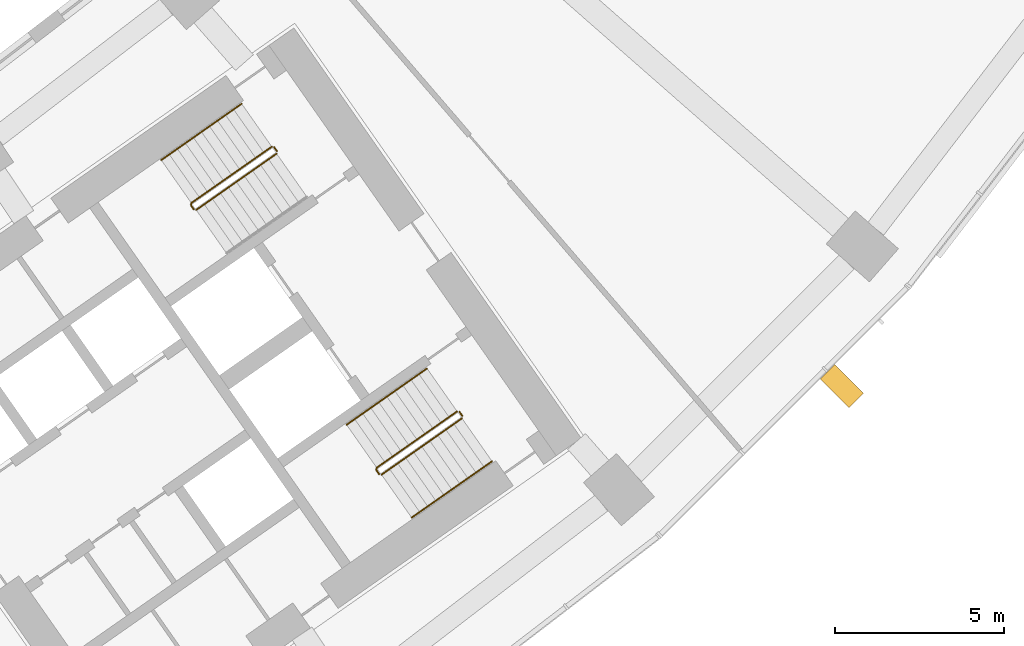
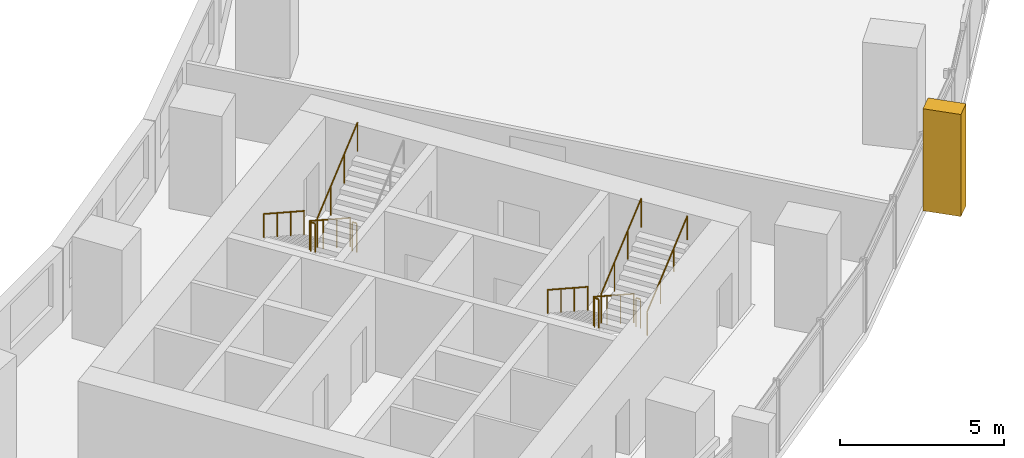
# One storey, part 30 of 30: 9 railings, 1 shading device.
"""IFC4 building model written with IfcOpenShell, lengths in metres."""

from ifc_helpers import new_model, si_unit, direction, frame, origin, origin_2d, place, context, subcontext, project, spatial, polyline, circle, outline, extrude, material, type_object, element, save


model = new_model("IFC4")

# Units and contexts
model_context = context("Model", 3, precision=1e-05, world=origin(), true_north=direction((0.0, 1.0)))
body_context = subcontext(model_context, "Body", "Model", "MODEL_VIEW")
ifc_project = project(units=[si_unit("LENGTHUNIT", "METRE"), si_unit("AREAUNIT", "SQUARE_METRE"), si_unit("VOLUMEUNIT", "CUBIC_METRE"), si_unit("PLANEANGLEUNIT", "RADIAN"), si_unit("MASSUNIT", "GRAM", prefix="KILO")], contexts=[model_context])

# Site, building, storey
site_placement = place(None, origin())
site = spatial("IfcSite", under=ifc_project, at=site_placement, CompositionType="ELEMENT")
building_placement = place(site_placement, origin())
building = spatial("IfcBuilding", under=site, at=building_placement, Name="Qamariyya Broadcast Tower", CompositionType="ELEMENT")
storey_placement = place(building_placement, frame((0.0, 0.0, 67.10009765625)))
storey = spatial("IfcBuildingStorey", under=building, at=storey_placement, Name="L13", CompositionType="ELEMENT", Elevation=67.10009765625)

# Shading device
ifc_material_1 = material(Name="Steel S355 powder coated deep red", Category="steel")
shading_device_type = type_object("IfcShadingDeviceType", Name="Deep red frame, powder coated steel box section", PredefinedType="USERDEFINED", material=ifc_material_1)
shading_device_placement = place(storey_placement, origin())
element("IfcShadingDevice", 1, at=shading_device_placement, inside=storey, type_object=shading_device_type, Name="e-frm-B1-F5-postb-L13", ObjectType="FRAME", PredefinedType="USERDEFINED", context=body_context, shape_type="SweptSolid", body=[
    extrude(outline(polyline([(57.21630859375, -55.184814453125), (58.064697265625, -56.033203125), (58.489013671875, -55.60888671875), (57.640380859375, -54.760498046875), (57.21630859375, -55.184814453125)])), origin(), (0.0, 0.0, 1.0), 3.7998046875),
])

# Railings
ifc_material_2 = material(Name="Painted steel", Category="steel")
railing_type_1 = type_object("IfcRailingType", Name="Stair guard", PredefinedType="GUARDRAIL", material=ifc_material_2)
railing_1_placement = place(storey_placement, frame((41.003173828125, -48.320068359375, 0.172607421875)))
element("IfcRailing", 2, at=railing_1_placement, inside=storey, type_object=railing_type_1, Name="L13 ST-E2 stair guard 1", PredefinedType="GUARDRAIL", context=body_context, shape_type="SweptSolid", body=[
    extrude(circle(Radius=0.02392578125, at=origin_2d()), frame((0.0, 0.0, 1.076171875), z_axis=(-0.703770094002, -0.492783725636, 0.511734163933), x_axis=(0.573575343427, -0.819152809562, 0.0)), (0.0, 0.0, 1.0), 3.37548828125),
    extrude(circle(Radius=0.02392578125, at=origin_2d()), frame((-2.37548828125, -1.663330078125, 2.80322265625), z_axis=(-0.172799478008, -0.984957024646, 0.0), x_axis=(0.984957024646, -0.172799478008, 0.0)), (0.0, 0.0, 1.0), 0.070556640625),
    extrude(circle(Radius=0.02392578125, at=origin_2d()), frame((-2.3876953125, -1.73291015625, 2.80322265625), z_axis=(0.572588637393, -0.819842821722, 0.0), x_axis=(0.819842821722, 0.572588637393, 0.0)), (0.0, 0.0, 1.0), 0.150146484375),
    extrude(circle(Radius=0.02099609375, at=origin_2d()), origin(), (0.0, 0.0, 1.0), 1.052001953125),
    extrude(circle(Radius=0.02099609375, at=origin_2d()), frame((-0.791748046875, -0.554443359375, 0.57568359375)), (0.0, 0.0, 1.0), 1.052001953125),
    extrude(circle(Radius=0.02099609375, at=origin_2d()), frame((-1.583740234375, -1.10888671875, 1.151611328125)), (0.0, 0.0, 1.0), 1.052001953125),
    extrude(circle(Radius=0.02099609375, at=origin_2d()), frame((-2.37548828125, -1.663330078125, 1.727294921875)), (0.0, 0.0, 1.0), 1.052001953125),
    extrude(circle(Radius=0.02099609375, at=origin_2d()), frame((-2.3876953125, -1.73291015625, 1.727294921875)), (0.0, 0.0, 1.0), 1.052001953125),
    extrude(circle(Radius=0.02099609375, at=origin_2d()), frame((-2.3017578125, -1.85595703125, 1.727294921875)), (0.0, 0.0, 1.0), 1.052001953125),
])
railing_2_placement = place(storey_placement, frame((38.771240234375, -50.188232421875, 2.072509765625)))
element("IfcRailing", 3, at=railing_2_placement, inside=storey, type_object=railing_type_1, Name="L13 ST-E2 stair guard 2", PredefinedType="GUARDRAIL", context=body_context, shape_type="SweptSolid", body=[
    extrude(circle(Radius=0.02392578125, at=origin_2d()), frame((0.0, 0.0, 1.076171875), z_axis=(0.703770094002, 0.492783725636, 0.511734163933), x_axis=(-0.573575343427, 0.819152809562, 0.0)), (0.0, 0.0, 1.0), 3.37548828125),
    extrude(circle(Radius=0.02099609375, at=origin_2d()), origin(), (0.0, 0.0, 1.0), 1.052001953125),
    extrude(circle(Radius=0.02099609375, at=origin_2d()), frame((0.791748046875, 0.554443359375, 0.57568359375)), (0.0, 0.0, 1.0), 1.052001953125),
    extrude(circle(Radius=0.02099609375, at=origin_2d()), frame((1.583740234375, 1.10888671875, 1.151611328125)), (0.0, 0.0, 1.0), 1.052001953125),
    extrude(circle(Radius=0.02099609375, at=origin_2d()), frame((2.37548828125, 1.663330078125, 1.727294921875)), (0.0, 0.0, 1.0), 1.052001953125),
])
railing_3_placement = place(storey_placement, frame((41.072998046875, -48.332275390625, 0.0)))
element("IfcRailing", 4, at=railing_3_placement, inside=storey, type_object=railing_type_1, Name="L13 ST-E2 stair guard 3", PredefinedType="GUARDRAIL", context=body_context, shape_type="SweptSolid", body=[
    extrude(circle(Radius=0.02392578125, at=origin_2d()), frame((0.0, 0.0, 1.076171875), z_axis=(0.572588637393, -0.819842821722, 0.0), x_axis=(0.819842821722, 0.572588637393, 0.0)), (0.0, 0.0, 1.0), 0.150146484375),
    extrude(circle(Radius=0.02099609375, at=origin_2d()), origin(), (0.0, 0.0, 1.0), 1.052001953125),
    extrude(circle(Radius=0.02099609375, at=origin_2d()), frame((0.0859375, -0.123046875, 0.0)), (0.0, 0.0, 1.0), 1.052001953125),
])
railing_4_placement = place(storey_placement, frame((46.48095703125, -56.14306640625, 0.172607421875)))
element("IfcRailing", 5, at=railing_4_placement, inside=storey, type_object=railing_type_1, Name="L13 ST-E1 stair guard 1", PredefinedType="GUARDRAIL", context=body_context, shape_type="SweptSolid", body=[
    extrude(circle(Radius=0.02392578125, at=origin_2d()), frame((0.0, 0.0, 1.076171875), z_axis=(-0.703770094002, -0.492783725636, 0.511734163933), x_axis=(0.573575343427, -0.819152809562, 0.0)), (0.0, 0.0, 1.0), 3.37548828125),
    extrude(circle(Radius=0.02392578125, at=origin_2d()), frame((-2.37548828125, -1.663330078125, 2.80322265625), z_axis=(-0.176149252506, -0.984363469884, 0.0), x_axis=(0.984363469884, -0.176149252506, 0.0)), (0.0, 0.0, 1.0), 0.07080078125),
    extrude(circle(Radius=0.02392578125, at=origin_2d()), frame((-2.387939453125, -1.73291015625, 2.80322265625), z_axis=(0.574444878118, -0.818543268254, 0.0), x_axis=(0.818543268254, 0.574444878118, 0.0)), (0.0, 0.0, 1.0), 0.150146484375),
    extrude(circle(Radius=0.02099609375, at=origin_2d()), origin(), (0.0, 0.0, 1.0), 1.052001953125),
    extrude(circle(Radius=0.02099609375, at=origin_2d()), frame((-0.791748046875, -0.554443359375, 0.57568359375)), (0.0, 0.0, 1.0), 1.052001953125),
    extrude(circle(Radius=0.02099609375, at=origin_2d()), frame((-1.583740234375, -1.10888671875, 1.151611328125)), (0.0, 0.0, 1.0), 1.052001953125),
    extrude(circle(Radius=0.02099609375, at=origin_2d()), frame((-2.37548828125, -1.663330078125, 1.727294921875)), (0.0, 0.0, 1.0), 1.052001953125),
    extrude(circle(Radius=0.02099609375, at=origin_2d()), frame((-2.387939453125, -1.73291015625, 1.727294921875)), (0.0, 0.0, 1.0), 1.052001953125),
    extrude(circle(Radius=0.02099609375, at=origin_2d()), frame((-2.3017578125, -1.855712890625, 1.727294921875)), (0.0, 0.0, 1.0), 1.052001953125),
])
railing_5_placement = place(storey_placement, frame((44.248779296875, -58.01123046875, 2.072509765625)))
element("IfcRailing", 6, at=railing_5_placement, inside=storey, type_object=railing_type_1, Name="L13 ST-E1 stair guard 2", PredefinedType="GUARDRAIL", context=body_context, shape_type="SweptSolid", body=[
    extrude(circle(Radius=0.02392578125, at=origin_2d()), frame((0.0, 0.0, 1.076171875), z_axis=(0.703745009021, 0.492838488332, 0.511715923826), x_axis=(-0.573631830683, 0.819113253969, 0.0)), (0.0, 0.0, 1.0), 3.37548828125),
    extrude(circle(Radius=0.02099609375, at=origin_2d()), origin(), (0.0, 0.0, 1.0), 1.052001953125),
    extrude(circle(Radius=0.02099609375, at=origin_2d()), frame((0.791748046875, 0.554443359375, 0.57568359375)), (0.0, 0.0, 1.0), 1.052001953125),
    extrude(circle(Radius=0.02099609375, at=origin_2d()), frame((1.583740234375, 1.109130859375, 1.151611328125)), (0.0, 0.0, 1.0), 1.052001953125),
    extrude(circle(Radius=0.02099609375, at=origin_2d()), frame((2.37548828125, 1.66357421875, 1.727294921875)), (0.0, 0.0, 1.0), 1.052001953125),
])
railing_6_placement = place(storey_placement, frame((46.550537109375, -56.1552734375, 0.0)))
element("IfcRailing", 7, at=railing_6_placement, inside=storey, type_object=railing_type_1, Name="L13 ST-E1 stair guard 3", PredefinedType="GUARDRAIL", context=body_context, shape_type="SweptSolid", body=[
    extrude(circle(Radius=0.02392578125, at=origin_2d()), frame((0.0, 0.0, 1.076171875), z_axis=(0.574444878118, -0.818543268254, 0.0), x_axis=(0.818543268254, 0.574444878118, 0.0)), (0.0, 0.0, 1.0), 0.150146484375),
    extrude(circle(Radius=0.02099609375, at=origin_2d()), origin(), (0.0, 0.0, 1.0), 1.052001953125),
    extrude(circle(Radius=0.02099609375, at=origin_2d()), frame((0.086181640625, -0.122802734375, 0.0)), (0.0, 0.0, 1.0), 1.052001953125),
])
ifc_material_3 = material(Name="Stainless steel", Category="steel")
railing_type_2 = type_object("IfcRailingType", Name="Stair handrail", PredefinedType="HANDRAIL", material=ifc_material_3)
railing_7_placement = place(storey_placement, frame((40.1142578125, -47.05029296875, 0.172607421875)))
element("IfcRailing", 8, at=railing_7_placement, inside=storey, type_object=railing_type_2, Name="L13 ST-E2 stair handrail 1", PredefinedType="HANDRAIL", context=body_context, shape_type="SweptSolid", body=[
    extrude(circle(Radius=0.02392578125, at=origin_2d()), frame((0.0, 0.0, 0.8759765625), z_axis=(-0.703745009021, -0.492838488332, 0.511715923826), x_axis=(0.573631830683, -0.819113253969, 0.0)), (0.0, 0.0, 1.0), 3.37548828125),
    extrude(circle(Radius=0.02099609375, at=origin_2d()), origin(), (0.0, 0.0, 1.0), 0.851806640625),
    extrude(circle(Radius=0.02099609375, at=origin_2d()), frame((-0.791748046875, -0.554443359375, 0.57568359375)), (0.0, 0.0, 1.0), 0.851806640625),
    extrude(circle(Radius=0.02099609375, at=origin_2d()), frame((-1.583740234375, -1.109130859375, 1.151611328125)), (0.0, 0.0, 1.0), 0.851806640625),
    extrude(circle(Radius=0.02099609375, at=origin_2d()), frame((-2.37548828125, -1.66357421875, 1.727294921875)), (0.0, 0.0, 1.0), 0.851806640625),
])
railing_8_placement = place(storey_placement, frame((45.591796875, -54.873291015625, 0.172607421875)))
element("IfcRailing", 9, at=railing_8_placement, inside=storey, type_object=railing_type_2, Name="L13 ST-E1 stair handrail 1", PredefinedType="HANDRAIL", context=body_context, shape_type="SweptSolid", body=[
    extrude(circle(Radius=0.02392578125, at=origin_2d()), frame((0.0, 0.0, 0.8759765625), z_axis=(-0.703770094002, -0.492783725636, 0.511734163933), x_axis=(0.573575343427, -0.819152809562, 0.0)), (0.0, 0.0, 1.0), 3.37548828125),
    extrude(circle(Radius=0.02099609375, at=origin_2d()), origin(), (0.0, 0.0, 1.0), 0.851806640625),
    extrude(circle(Radius=0.02099609375, at=origin_2d()), frame((-0.791748046875, -0.554443359375, 0.57568359375)), (0.0, 0.0, 1.0), 0.851806640625),
    extrude(circle(Radius=0.02099609375, at=origin_2d()), frame((-1.583740234375, -1.10888671875, 1.151611328125)), (0.0, 0.0, 1.0), 0.851806640625),
    extrude(circle(Radius=0.02099609375, at=origin_2d()), frame((-2.37548828125, -1.663330078125, 1.727294921875)), (0.0, 0.0, 1.0), 0.851806640625),
])
railing_9_placement = place(storey_placement, frame((45.137939453125, -59.28076171875, 2.072509765625)))
element("IfcRailing", 10, at=railing_9_placement, inside=storey, type_object=railing_type_2, Name="L13 ST-E1 stair handrail 2", PredefinedType="HANDRAIL", context=body_context, shape_type="SweptSolid", body=[
    extrude(circle(Radius=0.02392578125, at=origin_2d()), frame((0.0, 0.0, 0.8759765625), z_axis=(0.703770094002, 0.492783725636, 0.511734163933), x_axis=(-0.573575343427, 0.819152809562, 0.0)), (0.0, 0.0, 1.0), 3.37548828125),
    extrude(circle(Radius=0.02099609375, at=origin_2d()), origin(), (0.0, 0.0, 1.0), 0.851806640625),
    extrude(circle(Radius=0.02099609375, at=origin_2d()), frame((0.791748046875, 0.554443359375, 0.57568359375)), (0.0, 0.0, 1.0), 0.851806640625),
    extrude(circle(Radius=0.02099609375, at=origin_2d()), frame((1.583740234375, 1.10888671875, 1.151611328125)), (0.0, 0.0, 1.0), 0.851806640625),
    extrude(circle(Radius=0.02099609375, at=origin_2d()), frame((2.37548828125, 1.663330078125, 1.727294921875)), (0.0, 0.0, 1.0), 0.851806640625),
])

save(model, "model.ifc")
